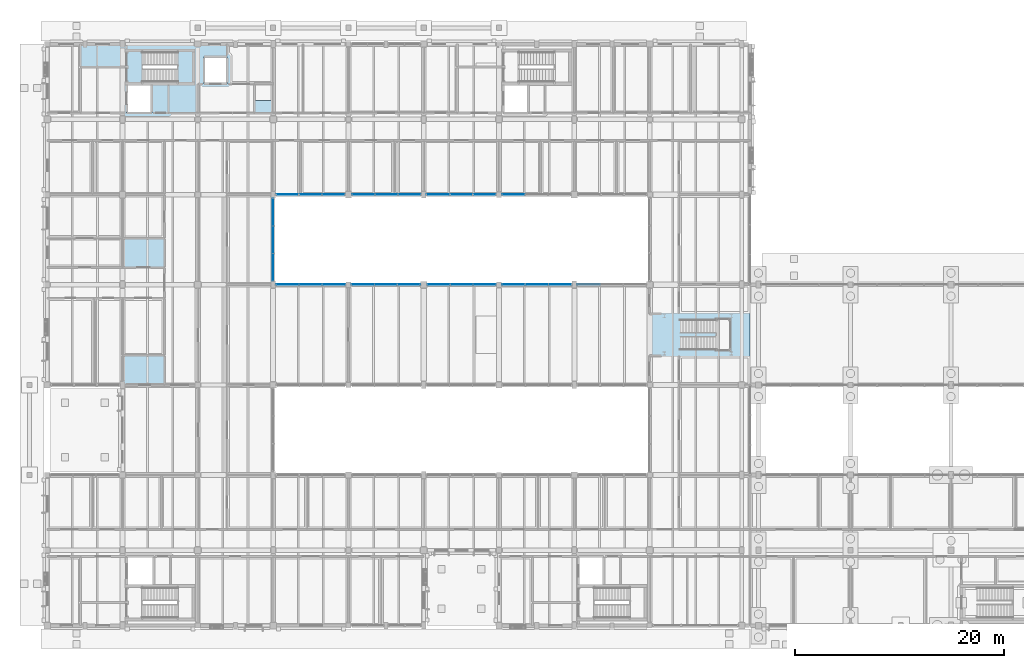
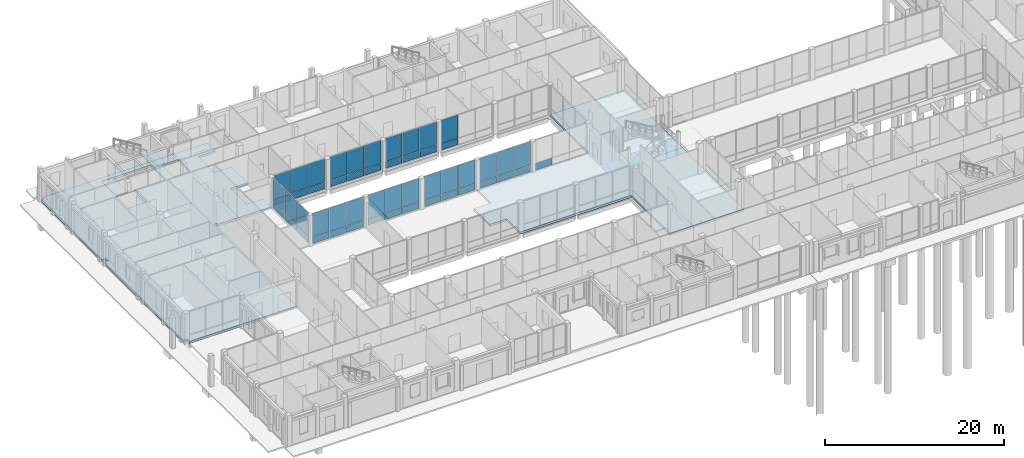
# One storey, part 64 of 104: 51 plates, 4 slabs, 11 elements without a shape of their own.
"""IFC4 building model written with IfcOpenShell, lengths in metres."""

from ifc_helpers import new_model, si_unit, direction, frame, origin, origin_2d, place, context, subcontext, project, spatial, polyline, rectangle, outline, extrude, material, layer, layer_set, type_object, element, aggregate, save


model = new_model("IFC4")

# Units and contexts
model_context = context("Model", 3, precision=1e-05, world=origin(), true_north=direction((0.0, 1.0)))
body_context = subcontext(model_context, "Body", "Model", "MODEL_VIEW")
ifc_project = project(units=[si_unit("LENGTHUNIT", "METRE"), si_unit("AREAUNIT", "SQUARE_METRE"), si_unit("VOLUMEUNIT", "CUBIC_METRE"), si_unit("PLANEANGLEUNIT", "RADIAN"), si_unit("MASSUNIT", "GRAM", prefix="KILO")], contexts=[model_context])

# Site, building, storey
site_placement = place(None, origin())
site = spatial("IfcSite", under=ifc_project, at=site_placement, CompositionType="ELEMENT")
building_placement = place(site_placement, origin())
building = spatial("IfcBuilding", under=site, at=building_placement, Name="Hawrajan Terrace Health Centre", CompositionType="ELEMENT")
storey_placement = place(building_placement, origin())
storey = spatial("IfcBuildingStorey", under=building, at=storey_placement, Name="L00", CompositionType="ELEMENT", Elevation=0.0)

# Curtain wall, plates
ifc_material_1 = material(Name="Anodized bronze aluminium and low-E solar glazing", Category="aluminium")
curtain_wall_type_1 = type_object("IfcCurtainWallType", Name="CW_CourtNS_SeriesC2", PredefinedType="USERDEFINED", material=ifc_material_1)
curtain_wall_1_placement = place(storey_placement, origin())
curtain_wall_1 = element("IfcCurtainWall", 1, at=curtain_wall_1_placement, inside=storey, type_object=curtain_wall_type_1, Name="Curtain wall CW-L00-008", ObjectType="UNITISED CURTAIN WALL", PredefinedType="USERDEFINED")
ifc_material_2 = material(Name="Diffused north-light insulated glazing", Category="glass")
ifc_layer_1 = layer(ifc_material_2, 0.031982421875)
ifc_layer_set_1 = layer_set([ifc_layer_1], Name="Diffused north-light insulated glazing")
plate_type_1 = type_object("IfcPlateType", Name="ClerestoryGlassPanel_32", PredefinedType="CURTAIN_PANEL", material=ifc_layer_set_1)
plate_1_placement = place(storey_placement, frame((27.5625, 45.39990234375, 0.981689453125), z_axis=(0.0, 0.0, 1.0), x_axis=(1.0, 0.0, 0.0)))
plate_1 = element("IfcPlate", 2, at=plate_1_placement, type_object=plate_type_1, Name="Curtain panel CW-L00-008-P1-2", PredefinedType="CURTAIN_PANEL", context=body_context, shape_type="SweptSolid", body=[
    extrude(rectangle(XDim=2.136962890625, YDim=0.031982421875, at=origin_2d()), origin(), (0.0, 0.0, 1.0), 3.1494140625),
])
plate_2_placement = place(storey_placement, frame((29.762451171875, 45.39990234375, 0.981689453125), z_axis=(0.0, 0.0, 1.0), x_axis=(1.0, 0.0, 0.0)))
plate_2 = element("IfcPlate", 3, at=plate_2_placement, type_object=plate_type_1, Name="Curtain panel CW-L00-008-P2-2", PredefinedType="CURTAIN_PANEL", context=body_context, shape_type="SweptSolid", body=[
    extrude(rectangle(XDim=2.136962890625, YDim=0.031982421875, at=origin_2d()), origin(), (0.0, 0.0, 1.0), 3.1494140625),
])
plate_3_placement = place(storey_placement, frame((31.96240234375, 45.39990234375, 0.981689453125), z_axis=(0.0, 0.0, 1.0), x_axis=(1.0, 0.0, 0.0)))
plate_3 = element("IfcPlate", 4, at=plate_3_placement, type_object=plate_type_1, Name="Curtain panel CW-L00-008-P3-2", PredefinedType="CURTAIN_PANEL", context=body_context, shape_type="SweptSolid", body=[
    extrude(rectangle(XDim=2.136962890625, YDim=0.031982421875, at=origin_2d()), origin(), (0.0, 0.0, 1.0), 3.1494140625),
])

curtain_wall_type_2 = type_object("IfcCurtainWallType", Name="CW_Garden_SeriesF1", PredefinedType="USERDEFINED", material=ifc_material_1)
curtain_wall_2_placement = place(storey_placement, origin())
curtain_wall_2 = element("IfcCurtainWall", 5, at=curtain_wall_2_placement, inside=storey, type_object=curtain_wall_type_2, Name="Curtain wall CW-L00-014", ObjectType="UNITISED CURTAIN WALL", PredefinedType="USERDEFINED")
plate_4_placement = place(storey_placement, frame((34.83740234375, 45.39990234375, 0.981689453125), z_axis=(0.0, 0.0, 1.0), x_axis=(1.0, 0.0, 0.0)))
plate_4 = element("IfcPlate", 6, at=plate_4_placement, type_object=plate_type_1, Name="Curtain panel CW-L00-014-P1-2", PredefinedType="CURTAIN_PANEL", context=body_context, shape_type="SweptSolid", body=[
    extrude(rectangle(XDim=2.136962890625, YDim=0.031982421875, at=origin_2d()), origin(), (0.0, 0.0, 1.0), 3.1494140625),
])
plate_5_placement = place(storey_placement, frame((37.03759765625, 45.39990234375, 0.981689453125), z_axis=(0.0, 0.0, 1.0), x_axis=(1.0, 0.0, 0.0)))
plate_5 = element("IfcPlate", 7, at=plate_5_placement, type_object=plate_type_1, Name="Curtain panel CW-L00-014-P2-2", PredefinedType="CURTAIN_PANEL", context=body_context, shape_type="SweptSolid", body=[
    extrude(rectangle(XDim=2.136962890625, YDim=0.031982421875, at=origin_2d()), origin(), (0.0, 0.0, 1.0), 3.1494140625),
])
plate_6_placement = place(storey_placement, frame((39.237548828125, 45.39990234375, 0.981689453125), z_axis=(0.0, 0.0, 1.0), x_axis=(1.0, 0.0, 0.0)))
plate_6 = element("IfcPlate", 8, at=plate_6_placement, type_object=plate_type_1, Name="Curtain panel CW-L00-014-P3-2", PredefinedType="CURTAIN_PANEL", context=body_context, shape_type="SweptSolid", body=[
    extrude(rectangle(XDim=2.136962890625, YDim=0.031982421875, at=origin_2d()), origin(), (0.0, 0.0, 1.0), 3.1494140625),
])

curtain_wall_type_3 = type_object("IfcCurtainWallType", Name="CW_Bridge_SeriesJ1", PredefinedType="USERDEFINED", material=ifc_material_1)
curtain_wall_3_placement = place(storey_placement, origin())
curtain_wall_3 = element("IfcCurtainWall", 9, at=curtain_wall_3_placement, inside=storey, type_object=curtain_wall_type_3, Name="Curtain wall CW-L00-020", ObjectType="UNITISED CURTAIN WALL", PredefinedType="USERDEFINED")
plate_7_placement = place(storey_placement, frame((41.970703125, 45.39990234375, 0.981689453125), z_axis=(0.0, 0.0, 1.0), x_axis=(1.0, 0.0, 0.0)))
plate_7 = element("IfcPlate", 10, at=plate_7_placement, type_object=plate_type_1, Name="Curtain panel CW-L00-020-P1-2", PredefinedType="CURTAIN_PANEL", context=body_context, shape_type="SweptSolid", body=[
    extrude(rectangle(XDim=2.15380859375, YDim=0.031982421875, at=origin_2d()), origin(), (0.0, 0.0, 1.0), 3.1494140625),
])
plate_8_placement = place(storey_placement, frame((44.1875, 45.39990234375, 0.981689453125), z_axis=(0.0, 0.0, 1.0), x_axis=(1.0, 0.0, 0.0)))
plate_8 = element("IfcPlate", 11, at=plate_8_placement, type_object=plate_type_1, Name="Curtain panel CW-L00-020-P2-2", PredefinedType="CURTAIN_PANEL", context=body_context, shape_type="SweptSolid", body=[
    extrude(rectangle(XDim=2.15380859375, YDim=0.031982421875, at=origin_2d()), origin(), (0.0, 0.0, 1.0), 3.1494140625),
])
plate_9_placement = place(storey_placement, frame((46.404296875, 45.39990234375, 0.981689453125), z_axis=(0.0, 0.0, 1.0), x_axis=(1.0, 0.0, 0.0)))
plate_9 = element("IfcPlate", 12, at=plate_9_placement, type_object=plate_type_1, Name="Curtain panel CW-L00-020-P3-2", PredefinedType="CURTAIN_PANEL", context=body_context, shape_type="SweptSolid", body=[
    extrude(rectangle(XDim=2.15380859375, YDim=0.031982421875, at=origin_2d()), origin(), (0.0, 0.0, 1.0), 3.1494140625),
])

curtain_wall_type_4 = type_object("IfcCurtainWallType", Name="CW_Diagnostic_SeriesM1", PredefinedType="USERDEFINED", material=ifc_material_1)
curtain_wall_4_placement = place(storey_placement, origin())
curtain_wall_4 = element("IfcCurtainWall", 13, at=curtain_wall_4_placement, inside=storey, type_object=curtain_wall_type_4, Name="Curtain wall CW-L00-023", ObjectType="UNITISED CURTAIN WALL", PredefinedType="USERDEFINED")
plate_10_placement = place(storey_placement, frame((49.19580078125, 36.800048828125, 0.981689453125), z_axis=(0.0, 0.0, 1.0), x_axis=(1.0, 0.0, 0.0)))
plate_10 = element("IfcPlate", 14, at=plate_10_placement, type_object=plate_type_1, Name="Curtain panel CW-L00-023-P1-2", PredefinedType="CURTAIN_PANEL", context=body_context, shape_type="SweptSolid", body=[
    extrude(rectangle(XDim=2.15380859375, YDim=0.031982421875, at=origin_2d()), origin(), (0.0, 0.0, 1.0), 3.1494140625),
])
plate_11_placement = place(storey_placement, frame((51.41259765625, 36.800048828125, 0.981689453125), z_axis=(0.0, 0.0, 1.0), x_axis=(1.0, 0.0, 0.0)))
plate_11 = element("IfcPlate", 15, at=plate_11_placement, type_object=plate_type_1, Name="Curtain panel CW-L00-023-P2-2", PredefinedType="CURTAIN_PANEL", context=body_context, shape_type="SweptSolid", body=[
    extrude(rectangle(XDim=2.15380859375, YDim=0.031982421875, at=origin_2d()), origin(), (0.0, 0.0, 1.0), 3.1494140625),
])
plate_12_placement = place(storey_placement, frame((53.629150390625, 36.800048828125, 0.981689453125), z_axis=(0.0, 0.0, 1.0), x_axis=(1.0, 0.0, 0.0)))
plate_12 = element("IfcPlate", 16, at=plate_12_placement, type_object=plate_type_1, Name="Curtain panel CW-L00-023-P3-2", PredefinedType="CURTAIN_PANEL", context=body_context, shape_type="SweptSolid", body=[
    extrude(rectangle(XDim=2.15380859375, YDim=0.031982421875, at=origin_2d()), origin(), (0.0, 0.0, 1.0), 3.1494140625),
])

# Slabs
ifc_material_3 = material(Name="Concrete C40/50", Category="concrete")
ifc_layer_2 = layer(ifc_material_3, 0.300048828125)
ifc_layer_set_2 = layer_set([ifc_layer_2], Name="Concrete C40/50")
slab_type_1 = type_object("IfcSlabType", Name="PodiumSlab_RC300", PredefinedType="FLOOR", material=ifc_layer_set_2)
slab_1_placement = place(storey_placement, frame((0.0, 0.0, -0.300048828125)))
element("IfcSlab", 17, at=slab_1_placement, inside=storey, type_object=slab_type_1, Name="Structural slab SL-L00-W-V1-Z2-1", PredefinedType="FLOOR", context=body_context, shape_type="SweptSolid", body=[
    extrude(outline(polyline([(47.802001953125, 27.199951171875), (47.802001953125, 30.201904296875), (45.60205078125, 30.201904296875), (45.60205078125, 33.798095703125), (47.802001953125, 33.798095703125), (47.802001953125, 36.800048828125), (55.0, 36.800048828125), (62.199951171875, 36.800048828125), (62.199951171875, 45.39990234375), (62.47998046875, 45.39990234375), (71.794921875, 45.39990234375), (71.794921875, 36.800048828125), (71.794921875, 27.199951171875), (71.794921875, 18.60009765625), (62.199951171875, 18.60009765625), (62.199951171875, 27.199951171875), (55.0, 27.199951171875), (47.802001953125, 27.199951171875)])), origin(), (0.0, 0.0, 1.0), 0.300048828125),
])
slab_2_placement = place(storey_placement, frame((0.0, 0.0, -0.300048828125)))
element("IfcSlab", 18, at=slab_2_placement, inside=storey, type_object=slab_type_1, Name="Structural slab SL-L00-W-V2-Z0-1", PredefinedType="FLOOR", context=body_context, shape_type="SweptSolid", body=[
    extrude(outline(polyline([(4.60009765625, 59.52001953125), (4.8798828125, 59.52001953125), (4.8798828125, 59.800048828125), (11.800048828125, 59.800048828125), (19.0, 59.800048828125), (26.199951171875, 59.800048828125), (26.199951171875, 59.52001953125), (26.199951171875, 58.0), (24.0, 58.0), (24.0, 54.39990234375), (26.199951171875, 54.39990234375), (26.199951171875, 52.60009765625), (26.199951171875, 50.800048828125), (24.0, 50.800048828125), (24.0, 47.199951171875), (26.199951171875, 47.199951171875), (26.199951171875, 45.402099609375), (19.280029296875, 45.402099609375), (19.280029296875, 45.679931640625), (19.0, 45.679931640625), (19.0, 45.402099609375), (18.998046875, 45.402099609375), (18.998046875, 27.201904296875), (11.798095703125, 27.201904296875), (11.798095703125, 27.199951171875), (5.10009765625, 27.199951171875), (5.10009765625, 27.699951171875), (4.60009765625, 27.699951171875), (4.60009765625, 36.800048828125), (4.60009765625, 45.39990234375), (5.10009765625, 45.39990234375), (5.10009765625, 45.89990234375), (4.60009765625, 45.89990234375), (4.60009765625, 52.60009765625), (4.60009765625, 59.52001953125)]), holes=[polyline([(14.60009765625, 53.199951171875), (14.60009765625, 56.0), (18.60009765625, 56.0), (18.60009765625, 59.199951171875), (12.199951171875, 59.199951171875), (12.199951171875, 56.0), (12.199951171875, 53.199951171875), (14.60009765625, 53.199951171875)]), polyline([(21.800048828125, 58.60009765625), (19.60009765625, 58.60009765625), (19.60009765625, 56.0), (21.800048828125, 56.0), (21.800048828125, 58.60009765625)])]), origin(), (0.0, 0.0, 1.0), 0.300048828125),
])

# Curtain wall, plates
curtain_wall_type_5 = type_object("IfcCurtainWallType", Name="CW_Court_SeriesB1", PredefinedType="USERDEFINED", material=ifc_material_1)
curtain_wall_5_placement = place(storey_placement, origin())
curtain_wall_5 = element("IfcCurtainWall", 19, at=curtain_wall_5_placement, inside=storey, type_object=curtain_wall_type_5, Name="Curtain wall CW-L00-004", ObjectType="UNITISED CURTAIN WALL", PredefinedType="USERDEFINED")
ifc_material_4 = material(Name="Insulated anodized bronze spandrel panel")
ifc_layer_3 = layer(ifc_material_4, 0.048095703125)
ifc_layer_set_3 = layer_set([ifc_layer_3], Name="Insulated anodized bronze spandrel panel")
plate_type_2 = type_object("IfcPlateType", Name="SpandrelPanel_Bronze48", PredefinedType="CURTAIN_PANEL", material=ifc_layer_set_3)
plate_13_placement = place(storey_placement, frame((26.199951171875, 38.4716796875, 0.05908203125), z_axis=(0.0, 0.0, 1.0), x_axis=(0.0, 1.0, 0.0)))
plate_13 = element("IfcPlate", 20, at=plate_13_placement, type_object=plate_type_2, Name="Curtain panel CW-L00-004-P1-1", PredefinedType="CURTAIN_PANEL", context=body_context, shape_type="SweptSolid", body=[
    extrude(rectangle(XDim=2.5751953125, YDim=0.048095703125, at=origin_2d()), origin(), (0.0, 0.0, 1.0), 0.864501953125),
])
plate_14_placement = place(storey_placement, frame((26.199951171875, 41.10009765625, 0.05908203125), z_axis=(0.0, 0.0, 1.0), x_axis=(0.0, 1.0, 0.0)))
plate_14 = element("IfcPlate", 21, at=plate_14_placement, type_object=plate_type_2, Name="Curtain panel CW-L00-004-P2-1", PredefinedType="CURTAIN_PANEL", context=body_context, shape_type="SweptSolid", body=[
    extrude(rectangle(XDim=2.5751953125, YDim=0.048095703125, at=origin_2d()), origin(), (0.0, 0.0, 1.0), 0.864501953125),
])
plate_15_placement = place(storey_placement, frame((26.199951171875, 43.728271484375, 0.05908203125), z_axis=(0.0, 0.0, 1.0), x_axis=(0.0, 1.0, 0.0)))
plate_15 = element("IfcPlate", 22, at=plate_15_placement, type_object=plate_type_2, Name="Curtain panel CW-L00-004-P3-1", PredefinedType="CURTAIN_PANEL", context=body_context, shape_type="SweptSolid", body=[
    extrude(rectangle(XDim=2.5751953125, YDim=0.048095703125, at=origin_2d()), origin(), (0.0, 0.0, 1.0), 0.864501953125),
])

# Plate
plate_16_placement = place(storey_placement, frame((27.5625, 45.39990234375, 0.06884765625), z_axis=(0.0, 0.0, 1.0), x_axis=(1.0, 0.0, 0.0)))
plate_16 = element("IfcPlate", 23, at=plate_16_placement, type_object=plate_type_2, Name="Curtain panel CW-L00-008-P1-1", PredefinedType="CURTAIN_PANEL", context=body_context, shape_type="SweptSolid", body=[
    extrude(rectangle(XDim=2.136962890625, YDim=0.048095703125, at=origin_2d()), origin(), (0.0, 0.0, 1.0), 0.849609375),
])

plate_17_placement = place(storey_placement, frame((29.762451171875, 45.39990234375, 0.06884765625), z_axis=(0.0, 0.0, 1.0), x_axis=(1.0, 0.0, 0.0)))
plate_17 = element("IfcPlate", 24, at=plate_17_placement, type_object=plate_type_2, Name="Curtain panel CW-L00-008-P2-1", PredefinedType="CURTAIN_PANEL", context=body_context, shape_type="SweptSolid", body=[
    extrude(rectangle(XDim=2.136962890625, YDim=0.048095703125, at=origin_2d()), origin(), (0.0, 0.0, 1.0), 0.849609375),
])

plate_18_placement = place(storey_placement, frame((31.96240234375, 45.39990234375, 0.06884765625), z_axis=(0.0, 0.0, 1.0), x_axis=(1.0, 0.0, 0.0)))
plate_18 = element("IfcPlate", 25, at=plate_18_placement, type_object=plate_type_2, Name="Curtain panel CW-L00-008-P3-1", PredefinedType="CURTAIN_PANEL", context=body_context, shape_type="SweptSolid", body=[
    extrude(rectangle(XDim=2.136962890625, YDim=0.048095703125, at=origin_2d()), origin(), (0.0, 0.0, 1.0), 0.849609375),
])

aggregate(curtain_wall_1, [plate_16, plate_1, plate_17, plate_2, plate_18, plate_3])

plate_19_placement = place(storey_placement, frame((34.83740234375, 45.39990234375, 0.06884765625), z_axis=(0.0, 0.0, 1.0), x_axis=(1.0, 0.0, 0.0)))
plate_19 = element("IfcPlate", 26, at=plate_19_placement, type_object=plate_type_2, Name="Curtain panel CW-L00-014-P1-1", PredefinedType="CURTAIN_PANEL", context=body_context, shape_type="SweptSolid", body=[
    extrude(rectangle(XDim=2.136962890625, YDim=0.048095703125, at=origin_2d()), origin(), (0.0, 0.0, 1.0), 0.849609375),
])

plate_20_placement = place(storey_placement, frame((37.03759765625, 45.39990234375, 0.06884765625), z_axis=(0.0, 0.0, 1.0), x_axis=(1.0, 0.0, 0.0)))
plate_20 = element("IfcPlate", 27, at=plate_20_placement, type_object=plate_type_2, Name="Curtain panel CW-L00-014-P2-1", PredefinedType="CURTAIN_PANEL", context=body_context, shape_type="SweptSolid", body=[
    extrude(rectangle(XDim=2.136962890625, YDim=0.048095703125, at=origin_2d()), origin(), (0.0, 0.0, 1.0), 0.849609375),
])

plate_21_placement = place(storey_placement, frame((39.237548828125, 45.39990234375, 0.06884765625), z_axis=(0.0, 0.0, 1.0), x_axis=(1.0, 0.0, 0.0)))
plate_21 = element("IfcPlate", 28, at=plate_21_placement, type_object=plate_type_2, Name="Curtain panel CW-L00-014-P3-1", PredefinedType="CURTAIN_PANEL", context=body_context, shape_type="SweptSolid", body=[
    extrude(rectangle(XDim=2.136962890625, YDim=0.048095703125, at=origin_2d()), origin(), (0.0, 0.0, 1.0), 0.849609375),
])

aggregate(curtain_wall_2, [plate_19, plate_4, plate_20, plate_5, plate_21, plate_6])

plate_22_placement = place(storey_placement, frame((41.970703125, 45.39990234375, 0.06884765625), z_axis=(0.0, 0.0, 1.0), x_axis=(1.0, 0.0, 0.0)))
plate_22 = element("IfcPlate", 29, at=plate_22_placement, type_object=plate_type_2, Name="Curtain panel CW-L00-020-P1-1", PredefinedType="CURTAIN_PANEL", context=body_context, shape_type="SweptSolid", body=[
    extrude(rectangle(XDim=2.15380859375, YDim=0.048095703125, at=origin_2d()), origin(), (0.0, 0.0, 1.0), 0.849609375),
])

plate_23_placement = place(storey_placement, frame((44.1875, 45.39990234375, 0.06884765625), z_axis=(0.0, 0.0, 1.0), x_axis=(1.0, 0.0, 0.0)))
plate_23 = element("IfcPlate", 30, at=plate_23_placement, type_object=plate_type_2, Name="Curtain panel CW-L00-020-P2-1", PredefinedType="CURTAIN_PANEL", context=body_context, shape_type="SweptSolid", body=[
    extrude(rectangle(XDim=2.15380859375, YDim=0.048095703125, at=origin_2d()), origin(), (0.0, 0.0, 1.0), 0.849609375),
])

plate_24_placement = place(storey_placement, frame((46.404296875, 45.39990234375, 0.06884765625), z_axis=(0.0, 0.0, 1.0), x_axis=(1.0, 0.0, 0.0)))
plate_24 = element("IfcPlate", 31, at=plate_24_placement, type_object=plate_type_2, Name="Curtain panel CW-L00-020-P3-1", PredefinedType="CURTAIN_PANEL", context=body_context, shape_type="SweptSolid", body=[
    extrude(rectangle(XDim=2.15380859375, YDim=0.048095703125, at=origin_2d()), origin(), (0.0, 0.0, 1.0), 0.849609375),
])

aggregate(curtain_wall_3, [plate_22, plate_7, plate_23, plate_8, plate_24, plate_9])

# Curtain wall, plate
curtain_wall_type_6 = type_object("IfcCurtainWallType", Name="CW_Diagnostic_SeriesM2", PredefinedType="USERDEFINED", material=ifc_material_1)
curtain_wall_6_placement = place(storey_placement, origin())
curtain_wall_6 = element("IfcCurtainWall", 32, at=curtain_wall_6_placement, inside=storey, type_object=curtain_wall_type_6, Name="Curtain wall CW-L00-024", ObjectType="UNITISED CURTAIN WALL", PredefinedType="USERDEFINED")
plate_25_placement = place(storey_placement, frame((49.179931640625, 45.39990234375, 0.05908203125), z_axis=(0.0, 0.0, 1.0), x_axis=(1.0, 0.0, 0.0)))
plate_25 = element("IfcPlate", 33, at=plate_25_placement, type_object=plate_type_2, Name="Curtain panel CW-L00-024-P1-1", PredefinedType="CURTAIN_PANEL", context=body_context, shape_type="SweptSolid", body=[
    extrude(rectangle(XDim=2.14208984375, YDim=0.048095703125, at=origin_2d()), origin(), (0.0, 0.0, 1.0), 0.864501953125),
])

# Curtain wall, plates
curtain_wall_type_7 = type_object("IfcCurtainWallType", Name="CW_CourtNS_SeriesC1", PredefinedType="USERDEFINED", material=ifc_material_1)
curtain_wall_7_placement = place(storey_placement, origin())
curtain_wall_7 = element("IfcCurtainWall", 34, at=curtain_wall_7_placement, inside=storey, type_object=curtain_wall_type_7, Name="Curtain wall CW-L00-007", ObjectType="UNITISED CURTAIN WALL", PredefinedType="USERDEFINED")
ifc_material_5 = material(Name="Insulated reconstituted coral-stone spandrel", Category="masonry")
ifc_layer_4 = layer(ifc_material_5, 0.055908203125)
ifc_layer_set_4 = layer_set([ifc_layer_4], Name="Insulated reconstituted coral-stone spandrel")
plate_type_3 = type_object("IfcPlateType", Name="SpandrelPanel_Coral56", PredefinedType="CURTAIN_PANEL", material=ifc_layer_set_4)
plate_26_placement = place(storey_placement, frame((27.5673828125, 36.800048828125, 0.05908203125), z_axis=(0.0, 0.0, 1.0), x_axis=(1.0, 0.0, 0.0)))
plate_26 = element("IfcPlate", 35, at=plate_26_placement, type_object=plate_type_3, Name="Curtain panel CW-L00-007-P1-1", PredefinedType="CURTAIN_PANEL", context=body_context, shape_type="SweptSolid", body=[
    extrude(rectangle(XDim=2.1669921875, YDim=0.055908203125, at=origin_2d()), origin(), (0.0, 0.0, 1.0), 0.864501953125),
])
plate_27_placement = place(storey_placement, frame((29.78759765625, 36.800048828125, 0.05908203125), z_axis=(0.0, 0.0, 1.0), x_axis=(1.0, 0.0, 0.0)))
plate_27 = element("IfcPlate", 36, at=plate_27_placement, type_object=plate_type_3, Name="Curtain panel CW-L00-007-P2-1", PredefinedType="CURTAIN_PANEL", context=body_context, shape_type="SweptSolid", body=[
    extrude(rectangle(XDim=2.1669921875, YDim=0.055908203125, at=origin_2d()), origin(), (0.0, 0.0, 1.0), 0.864501953125),
])
plate_28_placement = place(storey_placement, frame((32.007568359375, 36.800048828125, 0.05908203125), z_axis=(0.0, 0.0, 1.0), x_axis=(1.0, 0.0, 0.0)))
plate_28 = element("IfcPlate", 37, at=plate_28_placement, type_object=plate_type_3, Name="Curtain panel CW-L00-007-P3-1", PredefinedType="CURTAIN_PANEL", context=body_context, shape_type="SweptSolid", body=[
    extrude(rectangle(XDim=2.1669921875, YDim=0.055908203125, at=origin_2d()), origin(), (0.0, 0.0, 1.0), 0.864501953125),
])

curtain_wall_type_8 = type_object("IfcCurtainWallType", Name="CW_Pavilion_SeriesE2", PredefinedType="USERDEFINED", material=ifc_material_1)
curtain_wall_8_placement = place(storey_placement, origin())
curtain_wall_8 = element("IfcCurtainWall", 38, at=curtain_wall_8_placement, inside=storey, type_object=curtain_wall_type_8, Name="Curtain wall CW-L00-013", ObjectType="UNITISED CURTAIN WALL", PredefinedType="USERDEFINED")
plate_29_placement = place(storey_placement, frame((34.780029296875, 36.800048828125, 0.05908203125), z_axis=(0.0, 0.0, 1.0), x_axis=(1.0, 0.0, 0.0)))
plate_29 = element("IfcPlate", 39, at=plate_29_placement, type_object=plate_type_3, Name="Curtain panel CW-L00-013-P1-1", PredefinedType="CURTAIN_PANEL", context=body_context, shape_type="SweptSolid", body=[
    extrude(rectangle(XDim=2.14208984375, YDim=0.055908203125, at=origin_2d()), origin(), (0.0, 0.0, 1.0), 0.864501953125),
])
plate_30_placement = place(storey_placement, frame((36.97509765625, 36.800048828125, 0.05908203125), z_axis=(0.0, 0.0, 1.0), x_axis=(1.0, 0.0, 0.0)))
plate_30 = element("IfcPlate", 40, at=plate_30_placement, type_object=plate_type_3, Name="Curtain panel CW-L00-013-P2-1", PredefinedType="CURTAIN_PANEL", context=body_context, shape_type="SweptSolid", body=[
    extrude(rectangle(XDim=2.14208984375, YDim=0.055908203125, at=origin_2d()), origin(), (0.0, 0.0, 1.0), 0.864501953125),
])
plate_31_placement = place(storey_placement, frame((39.169921875, 36.800048828125, 0.05908203125), z_axis=(0.0, 0.0, 1.0), x_axis=(1.0, 0.0, 0.0)))
plate_31 = element("IfcPlate", 41, at=plate_31_placement, type_object=plate_type_3, Name="Curtain panel CW-L00-013-P3-1", PredefinedType="CURTAIN_PANEL", context=body_context, shape_type="SweptSolid", body=[
    extrude(rectangle(XDim=2.14208984375, YDim=0.055908203125, at=origin_2d()), origin(), (0.0, 0.0, 1.0), 0.864501953125),
])

curtain_wall_type_9 = type_object("IfcCurtainWallType", Name="CW_Vestibule_SeriesH1", PredefinedType="USERDEFINED", material=ifc_material_1)
curtain_wall_9_placement = place(storey_placement, origin())
curtain_wall_9 = element("IfcCurtainWall", 42, at=curtain_wall_9_placement, inside=storey, type_object=curtain_wall_type_9, Name="Curtain wall CW-L00-019", ObjectType="UNITISED CURTAIN WALL", PredefinedType="USERDEFINED")
plate_32_placement = place(storey_placement, frame((42.030029296875, 36.800048828125, 0.05908203125), z_axis=(0.0, 0.0, 1.0), x_axis=(1.0, 0.0, 0.0)))
plate_32 = element("IfcPlate", 43, at=plate_32_placement, type_object=plate_type_3, Name="Curtain panel CW-L00-019-P1-1", PredefinedType="CURTAIN_PANEL", context=body_context, shape_type="SweptSolid", body=[
    extrude(rectangle(XDim=2.14208984375, YDim=0.055908203125, at=origin_2d()), origin(), (0.0, 0.0, 1.0), 0.864501953125),
])
plate_33_placement = place(storey_placement, frame((44.22509765625, 36.800048828125, 0.05908203125), z_axis=(0.0, 0.0, 1.0), x_axis=(1.0, 0.0, 0.0)))
plate_33 = element("IfcPlate", 44, at=plate_33_placement, type_object=plate_type_3, Name="Curtain panel CW-L00-019-P2-1", PredefinedType="CURTAIN_PANEL", context=body_context, shape_type="SweptSolid", body=[
    extrude(rectangle(XDim=2.14208984375, YDim=0.055908203125, at=origin_2d()), origin(), (0.0, 0.0, 1.0), 0.864501953125),
])
plate_34_placement = place(storey_placement, frame((46.419921875, 36.800048828125, 0.05908203125), z_axis=(0.0, 0.0, 1.0), x_axis=(1.0, 0.0, 0.0)))
plate_34 = element("IfcPlate", 45, at=plate_34_placement, type_object=plate_type_3, Name="Curtain panel CW-L00-019-P3-1", PredefinedType="CURTAIN_PANEL", context=body_context, shape_type="SweptSolid", body=[
    extrude(rectangle(XDim=2.14208984375, YDim=0.055908203125, at=origin_2d()), origin(), (0.0, 0.0, 1.0), 0.864501953125),
])

# Plate
plate_35_placement = place(storey_placement, frame((49.19580078125, 36.800048828125, 0.06884765625), z_axis=(0.0, 0.0, 1.0), x_axis=(1.0, 0.0, 0.0)))
plate_35 = element("IfcPlate", 46, at=plate_35_placement, type_object=plate_type_3, Name="Curtain panel CW-L00-023-P1-1", PredefinedType="CURTAIN_PANEL", context=body_context, shape_type="SweptSolid", body=[
    extrude(rectangle(XDim=2.15380859375, YDim=0.055908203125, at=origin_2d()), origin(), (0.0, 0.0, 1.0), 0.849609375),
])

plate_36_placement = place(storey_placement, frame((51.41259765625, 36.800048828125, 0.06884765625), z_axis=(0.0, 0.0, 1.0), x_axis=(1.0, 0.0, 0.0)))
plate_36 = element("IfcPlate", 47, at=plate_36_placement, type_object=plate_type_3, Name="Curtain panel CW-L00-023-P2-1", PredefinedType="CURTAIN_PANEL", context=body_context, shape_type="SweptSolid", body=[
    extrude(rectangle(XDim=2.15380859375, YDim=0.055908203125, at=origin_2d()), origin(), (0.0, 0.0, 1.0), 0.849609375),
])

plate_37_placement = place(storey_placement, frame((53.629150390625, 36.800048828125, 0.06884765625), z_axis=(0.0, 0.0, 1.0), x_axis=(1.0, 0.0, 0.0)))
plate_37 = element("IfcPlate", 48, at=plate_37_placement, type_object=plate_type_3, Name="Curtain panel CW-L00-023-P3-1", PredefinedType="CURTAIN_PANEL", context=body_context, shape_type="SweptSolid", body=[
    extrude(rectangle(XDim=2.15380859375, YDim=0.055908203125, at=origin_2d()), origin(), (0.0, 0.0, 1.0), 0.849609375),
])

aggregate(curtain_wall_4, [plate_35, plate_10, plate_36, plate_11, plate_37, plate_12])

# Curtain wall, plate
curtain_wall_type_10 = type_object("IfcCurtainWallType", Name="CW_Court_SeriesA3", PredefinedType="USERDEFINED", material=ifc_material_1)
curtain_wall_10_placement = place(storey_placement, origin())
curtain_wall_10 = element("IfcCurtainWall", 49, at=curtain_wall_10_placement, inside=storey, type_object=curtain_wall_type_10, Name="Curtain wall CW-L00-027", ObjectType="UNITISED CURTAIN WALL", PredefinedType="USERDEFINED")
plate_38_placement = place(storey_placement, frame((56.359130859375, 36.800048828125, 0.05908203125), z_axis=(0.0, 0.0, 1.0), x_axis=(1.0, 0.0, 0.0)))
plate_38 = element("IfcPlate", 50, at=plate_38_placement, type_object=plate_type_3, Name="Curtain panel CW-L00-027-P1-1", PredefinedType="CURTAIN_PANEL", context=body_context, shape_type="SweptSolid", body=[
    extrude(rectangle(XDim=2.150390625, YDim=0.055908203125, at=origin_2d()), origin(), (0.0, 0.0, 1.0), 0.864501953125),
])
aggregate(curtain_wall_10, [plate_38])

# Stair, slabs
stair_type = type_object("IfcStairType", Name="Stair_4500_W1300", PredefinedType="HALF_TURN_STAIR", material=ifc_material_3)
stair_placement = place(storey_placement, origin())
stair = element("IfcStair", 51, at=stair_placement, inside=storey, type_object=stair_type, Name="Stair ST-1-L00", PredefinedType="HALF_TURN_STAIR")
ifc_layer_5 = layer(ifc_material_3, 0.219970703125)
ifc_layer_set_5 = layer_set([ifc_layer_5], Name="Concrete C40/50")
slab_type_2 = type_object("IfcSlabType", Name="StairLanding_RC220", PredefinedType="LANDING", material=ifc_layer_set_5)
slab_3_placement = place(storey_placement, frame((0.0, 0.0, -0.219970703125)))
slab_3 = element("IfcSlab", 52, at=slab_3_placement, type_object=slab_type_2, Name="Stair floor landing ST-1-L00-L0", PredefinedType="LANDING", context=body_context, shape_type="SweptSolid", body=[
    extrude(outline(polyline([(12.199951171875, 56.0), (13.699951171875, 56.0), (13.699951171875, 59.199951171875), (12.199951171875, 59.199951171875), (12.199951171875, 56.0)])), origin(), (0.0, 0.0, 1.0), 0.219970703125),
])
slab_4_placement = place(storey_placement, frame((0.0, 0.0, 2.030029296875)))
slab_4 = element("IfcSlab", 53, at=slab_4_placement, type_object=slab_type_2, Name="Stair half landing ST-1-L00-L1", PredefinedType="LANDING", context=body_context, shape_type="SweptSolid", body=[
    extrude(outline(polyline([(17.10009765625, 56.0), (18.60009765625, 56.0), (18.60009765625, 59.199951171875), (17.10009765625, 59.199951171875), (17.10009765625, 56.0)])), origin(), (0.0, 0.0, 1.0), 0.219970703125),
])
aggregate(stair, [slab_3, slab_4])

# Plate
ifc_material_6 = material(Name="Double-glazed solar control low-E glass", Category="glass")
ifc_layer_6 = layer(ifc_material_6, 0.028076171875)
ifc_layer_set_6 = layer_set([ifc_layer_6], Name="Double-glazed solar control low-E glass")
plate_type_4 = type_object("IfcPlateType", Name="VisionGlassPanel_28", PredefinedType="CURTAIN_PANEL", material=ifc_layer_set_6)
plate_39_placement = place(storey_placement, frame((49.179931640625, 45.39990234375, 0.9765625), z_axis=(0.0, 0.0, 1.0), x_axis=(1.0, 0.0, 0.0)))
plate_39 = element("IfcPlate", 54, at=plate_39_placement, type_object=plate_type_4, Name="Curtain panel CW-L00-024-P1-2", PredefinedType="CURTAIN_PANEL", context=body_context, shape_type="SweptSolid", body=[
    extrude(rectangle(XDim=2.14208984375, YDim=0.028076171875, at=origin_2d()), origin(), (0.0, 0.0, 1.0), 3.16455078125),
])

aggregate(curtain_wall_6, [plate_25, plate_39])

ifc_material_7 = material(Name="Triple-glazed solar acoustic low-E glass", Category="glass")
ifc_layer_7 = layer(ifc_material_7, 0.035888671875)
ifc_layer_set_7 = layer_set([ifc_layer_7], Name="Triple-glazed solar acoustic low-E glass")
plate_type_5 = type_object("IfcPlateType", Name="VisionGlassPanel_36", PredefinedType="CURTAIN_PANEL", material=ifc_layer_set_7)
plate_40_placement = place(storey_placement, frame((26.199951171875, 38.4716796875, 0.9765625), z_axis=(0.0, 0.0, 1.0), x_axis=(0.0, 1.0, 0.0)))
plate_40 = element("IfcPlate", 55, at=plate_40_placement, type_object=plate_type_5, Name="Curtain panel CW-L00-004-P1-2", PredefinedType="CURTAIN_PANEL", context=body_context, shape_type="SweptSolid", body=[
    extrude(rectangle(XDim=2.5751953125, YDim=0.035888671875, at=origin_2d()), origin(), (0.0, 0.0, 1.0), 3.16455078125),
])

plate_41_placement = place(storey_placement, frame((26.199951171875, 41.10009765625, 0.9765625), z_axis=(0.0, 0.0, 1.0), x_axis=(0.0, 1.0, 0.0)))
plate_41 = element("IfcPlate", 56, at=plate_41_placement, type_object=plate_type_5, Name="Curtain panel CW-L00-004-P2-2", PredefinedType="CURTAIN_PANEL", context=body_context, shape_type="SweptSolid", body=[
    extrude(rectangle(XDim=2.5751953125, YDim=0.035888671875, at=origin_2d()), origin(), (0.0, 0.0, 1.0), 3.16455078125),
])

plate_42_placement = place(storey_placement, frame((26.199951171875, 43.728271484375, 0.9765625), z_axis=(0.0, 0.0, 1.0), x_axis=(0.0, 1.0, 0.0)))
plate_42 = element("IfcPlate", 57, at=plate_42_placement, type_object=plate_type_5, Name="Curtain panel CW-L00-004-P3-2", PredefinedType="CURTAIN_PANEL", context=body_context, shape_type="SweptSolid", body=[
    extrude(rectangle(XDim=2.5751953125, YDim=0.035888671875, at=origin_2d()), origin(), (0.0, 0.0, 1.0), 3.16455078125),
])

aggregate(curtain_wall_5, [plate_13, plate_40, plate_14, plate_41, plate_15, plate_42])

plate_43_placement = place(storey_placement, frame((27.5673828125, 36.800048828125, 0.9765625), z_axis=(0.0, 0.0, 1.0), x_axis=(1.0, 0.0, 0.0)))
plate_43 = element("IfcPlate", 58, at=plate_43_placement, type_object=plate_type_5, Name="Curtain panel CW-L00-007-P1-2", PredefinedType="CURTAIN_PANEL", context=body_context, shape_type="SweptSolid", body=[
    extrude(rectangle(XDim=2.1669921875, YDim=0.035888671875, at=origin_2d()), origin(), (0.0, 0.0, 1.0), 3.16455078125),
])

plate_44_placement = place(storey_placement, frame((29.78759765625, 36.800048828125, 0.9765625), z_axis=(0.0, 0.0, 1.0), x_axis=(1.0, 0.0, 0.0)))
plate_44 = element("IfcPlate", 59, at=plate_44_placement, type_object=plate_type_5, Name="Curtain panel CW-L00-007-P2-2", PredefinedType="CURTAIN_PANEL", context=body_context, shape_type="SweptSolid", body=[
    extrude(rectangle(XDim=2.1669921875, YDim=0.035888671875, at=origin_2d()), origin(), (0.0, 0.0, 1.0), 3.16455078125),
])

plate_45_placement = place(storey_placement, frame((32.007568359375, 36.800048828125, 0.9765625), z_axis=(0.0, 0.0, 1.0), x_axis=(1.0, 0.0, 0.0)))
plate_45 = element("IfcPlate", 60, at=plate_45_placement, type_object=plate_type_5, Name="Curtain panel CW-L00-007-P3-2", PredefinedType="CURTAIN_PANEL", context=body_context, shape_type="SweptSolid", body=[
    extrude(rectangle(XDim=2.1669921875, YDim=0.035888671875, at=origin_2d()), origin(), (0.0, 0.0, 1.0), 3.16455078125),
])

aggregate(curtain_wall_7, [plate_26, plate_43, plate_27, plate_44, plate_28, plate_45])

plate_46_placement = place(storey_placement, frame((34.780029296875, 36.800048828125, 0.9765625), z_axis=(0.0, 0.0, 1.0), x_axis=(1.0, 0.0, 0.0)))
plate_46 = element("IfcPlate", 61, at=plate_46_placement, type_object=plate_type_5, Name="Curtain panel CW-L00-013-P1-2", PredefinedType="CURTAIN_PANEL", context=body_context, shape_type="SweptSolid", body=[
    extrude(rectangle(XDim=2.14208984375, YDim=0.035888671875, at=origin_2d()), origin(), (0.0, 0.0, 1.0), 3.16455078125),
])

plate_47_placement = place(storey_placement, frame((36.97509765625, 36.800048828125, 0.9765625), z_axis=(0.0, 0.0, 1.0), x_axis=(1.0, 0.0, 0.0)))
plate_47 = element("IfcPlate", 62, at=plate_47_placement, type_object=plate_type_5, Name="Curtain panel CW-L00-013-P2-2", PredefinedType="CURTAIN_PANEL", context=body_context, shape_type="SweptSolid", body=[
    extrude(rectangle(XDim=2.14208984375, YDim=0.035888671875, at=origin_2d()), origin(), (0.0, 0.0, 1.0), 3.16455078125),
])

plate_48_placement = place(storey_placement, frame((39.169921875, 36.800048828125, 0.9765625), z_axis=(0.0, 0.0, 1.0), x_axis=(1.0, 0.0, 0.0)))
plate_48 = element("IfcPlate", 63, at=plate_48_placement, type_object=plate_type_5, Name="Curtain panel CW-L00-013-P3-2", PredefinedType="CURTAIN_PANEL", context=body_context, shape_type="SweptSolid", body=[
    extrude(rectangle(XDim=2.14208984375, YDim=0.035888671875, at=origin_2d()), origin(), (0.0, 0.0, 1.0), 3.16455078125),
])

aggregate(curtain_wall_8, [plate_29, plate_46, plate_30, plate_47, plate_31, plate_48])

plate_49_placement = place(storey_placement, frame((42.030029296875, 36.800048828125, 0.9765625), z_axis=(0.0, 0.0, 1.0), x_axis=(1.0, 0.0, 0.0)))
plate_49 = element("IfcPlate", 64, at=plate_49_placement, type_object=plate_type_5, Name="Curtain panel CW-L00-019-P1-2", PredefinedType="CURTAIN_PANEL", context=body_context, shape_type="SweptSolid", body=[
    extrude(rectangle(XDim=2.14208984375, YDim=0.035888671875, at=origin_2d()), origin(), (0.0, 0.0, 1.0), 3.16455078125),
])

plate_50_placement = place(storey_placement, frame((44.22509765625, 36.800048828125, 0.9765625), z_axis=(0.0, 0.0, 1.0), x_axis=(1.0, 0.0, 0.0)))
plate_50 = element("IfcPlate", 65, at=plate_50_placement, type_object=plate_type_5, Name="Curtain panel CW-L00-019-P2-2", PredefinedType="CURTAIN_PANEL", context=body_context, shape_type="SweptSolid", body=[
    extrude(rectangle(XDim=2.14208984375, YDim=0.035888671875, at=origin_2d()), origin(), (0.0, 0.0, 1.0), 3.16455078125),
])

plate_51_placement = place(storey_placement, frame((46.419921875, 36.800048828125, 0.9765625), z_axis=(0.0, 0.0, 1.0), x_axis=(1.0, 0.0, 0.0)))
plate_51 = element("IfcPlate", 66, at=plate_51_placement, type_object=plate_type_5, Name="Curtain panel CW-L00-019-P3-2", PredefinedType="CURTAIN_PANEL", context=body_context, shape_type="SweptSolid", body=[
    extrude(rectangle(XDim=2.14208984375, YDim=0.035888671875, at=origin_2d()), origin(), (0.0, 0.0, 1.0), 3.16455078125),
])

aggregate(curtain_wall_9, [plate_32, plate_49, plate_33, plate_50, plate_34, plate_51])

save(model, "model.ifc")
